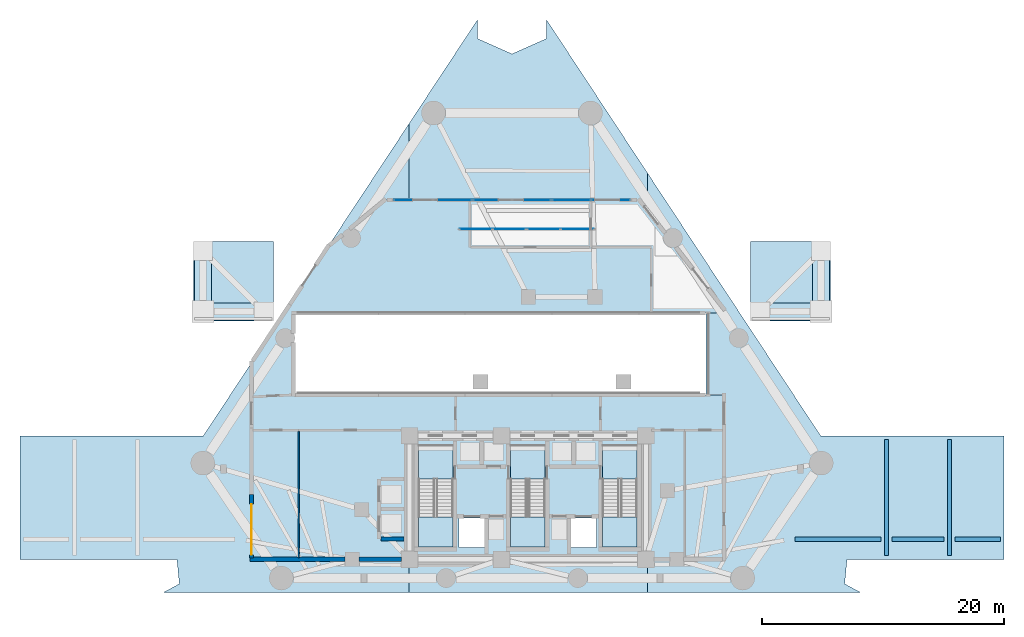
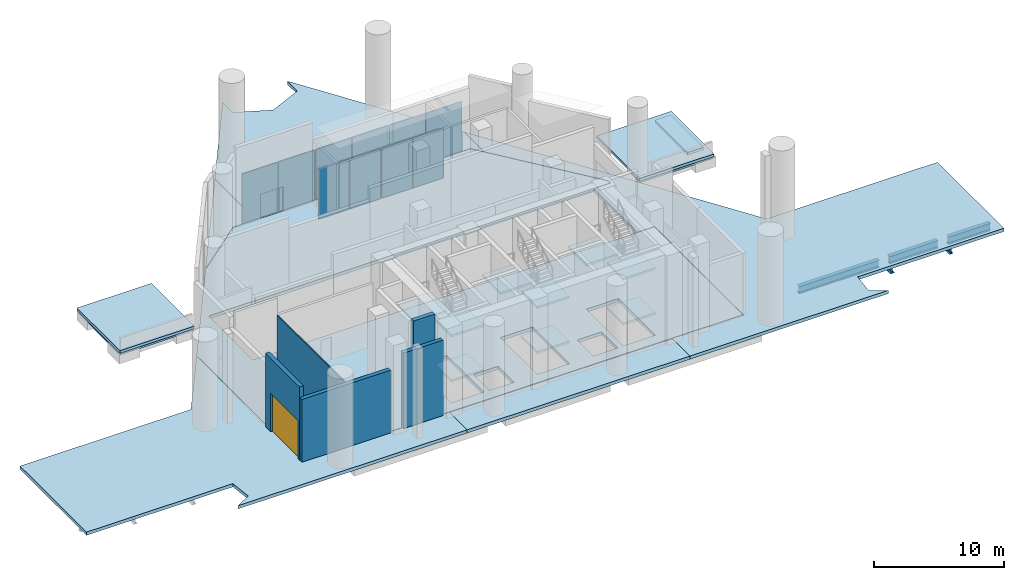
# One storey, part 5 of 12: 21 slabs, 10 plates, 5 beams, 5 walls, 1 door, 1 opening, 8 elements without a shape of their own.
"""IFC4 building model written with IfcOpenShell, lengths in metres."""

from ifc_helpers import new_model, si_unit, direction, frame, frame_2d, origin, origin_2d, place, context, subcontext, project, spatial, polyline, rectangle, i_section, outline, extrude, material, layer, layer_set, material_profile, profile_set, type_object, element, fill, aggregate, save


model = new_model("IFC4")

# Units and contexts
model_context = context("Model", 3, precision=1e-05, world=origin(), true_north=direction((0.0, 1.0)))
body_context = subcontext(model_context, "Body", "Model", "MODEL_VIEW")
ifc_project = project(units=[si_unit("LENGTHUNIT", "METRE"), si_unit("AREAUNIT", "SQUARE_METRE"), si_unit("VOLUMEUNIT", "CUBIC_METRE"), si_unit("PLANEANGLEUNIT", "RADIAN"), si_unit("MASSUNIT", "GRAM", prefix="KILO")], contexts=[model_context])

# Site, building, storey
site_placement = place(None, origin())
site = spatial("IfcSite", under=ifc_project, at=site_placement, CompositionType="ELEMENT")
building_placement = place(site_placement, origin())
building = spatial("IfcBuilding", under=site, at=building_placement, Name="Almagre Mirador Tower", CompositionType="ELEMENT")
storey_placement = place(building_placement, origin())
storey = spatial("IfcBuildingStorey", under=building, at=storey_placement, Name="L00", CompositionType="ELEMENT", Elevation=0.0)

# Beams
ifc_material_1 = material(Name="Steel ASTM A992 Grade 50", Category="steel")
ifc_material_profile = material_profile(ifc_material_1, i_section(OverallWidth=0.35791015625, OverallDepth=0.7060546875, WebThickness=0.018310546875, FlangeThickness=0.0302734375, FilletRadius=0.02197265625, at=origin_2d()), Name="W27X178")
ifc_profile_set = profile_set([ifc_material_profile], Name="Steel ASTM A992 Grade 50")
beam_type = type_object("IfcBeamType", Name="BM-STL-W27X178", PredefinedType="BEAM", material=ifc_profile_set)
beam_1_placement = place(storey_placement, frame((76.300048828125, 6.199951171875, -0.653076171875), z_axis=(-1.0, 0.0, 0.0), x_axis=(0.0, -1.0, 0.0)))
element("IfcBeam", 1, at=beam_1_placement, inside=storey, type_object=beam_type, Name="L00 substructure wing girder BW-E1", PredefinedType="BEAM", context=body_context, shape_type="SweptSolid", body=[
    extrude(i_section(OverallWidth=0.35791015625, OverallDepth=0.7060546875, WebThickness=0.018310546875, FlangeThickness=0.0302734375, FilletRadius=0.02197265625, at=origin_2d()), origin(), (0.0, 0.0, 1.0), 3.75),
])
beam_2_placement = place(storey_placement, frame((71.64990234375, 6.199951171875, -0.653076171875), z_axis=(-1.0, 0.0, 0.0), x_axis=(0.0, -1.0, 0.0)))
element("IfcBeam", 2, at=beam_2_placement, inside=storey, type_object=beam_type, Name="L00 substructure wing girder BW-E2", PredefinedType="BEAM", context=body_context, shape_type="SweptSolid", body=[
    extrude(i_section(OverallWidth=0.35791015625, OverallDepth=0.7060546875, WebThickness=0.018310546875, FlangeThickness=0.0302734375, FilletRadius=0.02197265625, at=origin_2d()), origin(), (0.0, 0.0, 1.0), 4.2998046875),
])
beam_3_placement = place(storey_placement, frame((66.449951171875, 6.199951171875, -0.653076171875), z_axis=(-1.0, 0.0, 0.0), x_axis=(0.0, -1.0, 0.0)))
element("IfcBeam", 3, at=beam_3_placement, inside=storey, type_object=beam_type, Name="L00 substructure wing girder BW-E3", PredefinedType="BEAM", context=body_context, shape_type="SweptSolid", body=[
    extrude(i_section(OverallWidth=0.35791015625, OverallDepth=0.7060546875, WebThickness=0.018310546875, FlangeThickness=0.0302734375, FilletRadius=0.02197265625, at=origin_2d()), origin(), (0.0, 0.0, 1.0), 7.099853515625),
])
for number, where, z_axis, x_axis, name in (
    (4, (72.10009765625, 4.85009765625, -0.653076171875), (0.0, 1.0, 0.0), (-1.0, 0.0, 0.0), "L00 substructure wing girder BW-EN1"),
    (5, (66.89990234375, 4.85009765625, -0.653076171875), (0.0, 1.0, 0.0), (-1.0, 0.0, 0.0), "L00 substructure wing girder BW-EN2"),
):
    element("IfcBeam", number, at=place(storey_placement, frame(where, z_axis=z_axis, x_axis=x_axis)), inside=storey, type_object=beam_type, Name=name, PredefinedType="BEAM", context=body_context, shape_type="SweptSolid", body=[
        extrude(i_section(OverallWidth=0.35791015625, OverallDepth=0.7060546875, WebThickness=0.018310546875, FlangeThickness=0.0302734375, FilletRadius=0.02197265625, at=origin_2d()), origin(), (0.0, 0.0, 1.0), 9.599853515625),
    ])

# Curtain wall, plates
ifc_material_2 = material(Name="Black anodized aluminium", Category="aluminium")
ifc_layer_1 = layer(ifc_material_2, 0.219970703125)
ifc_layer_set_1 = layer_set([ifc_layer_1], Name="Black anodized aluminium")
curtain_wall_type = type_object("IfcCurtainWallType", Name="CW-POD-SYS", PredefinedType="NOTDEFINED", material=ifc_layer_set_1)
curtain_wall_1_placement = place(storey_placement, origin())
curtain_wall_1 = element("IfcCurtainWall", 6, at=curtain_wall_1_placement, inside=storey, type_object=curtain_wall_type, Name="L00 lobby curtain wall 1.1", PredefinedType="NOTDEFINED")
ifc_material_3 = material(Name="Dark solar-control laminated hurricane glass", Category="glass")
ifc_layer_2 = layer(ifc_material_3, 0.035888671875)
ifc_layer_set_2 = layer_set([ifc_layer_2], Name="Dark solar-control laminated hurricane glass")
plate_type = type_object("IfcPlateType", Name="PLT-GLZ-36", PredefinedType="CURTAIN_PANEL", material=ifc_layer_set_2)
plate_1_placement = place(storey_placement, frame((33.017578125, 31.800048828125, 0.06494140625), z_axis=(0.0, 0.0, 1.0), x_axis=(1.0, 0.0, 0.0)))
plate_1 = element("IfcPlate", 7, at=plate_1_placement, type_object=plate_type, Name="CW-1 panel 1.1", PredefinedType="CURTAIN_PANEL", context=body_context, shape_type="SweptSolid", body=[
    extrude(rectangle(XDim=2.695068359375, YDim=0.035888671875, at=origin_2d()), origin(), (0.0, 0.0, 1.0), 4.669921875),
])
plate_2_placement = place(storey_placement, frame((35.782470703125, 31.800048828125, 0.06494140625), z_axis=(0.0, 0.0, 1.0), x_axis=(1.0, 0.0, 0.0)))
plate_2 = element("IfcPlate", 8, at=plate_2_placement, type_object=plate_type, Name="CW-1 panel 2.1", PredefinedType="CURTAIN_PANEL", context=body_context, shape_type="SweptSolid", body=[
    extrude(rectangle(XDim=2.695068359375, YDim=0.035888671875, at=origin_2d()), origin(), (0.0, 0.0, 1.0), 4.669921875),
])
aggregate(curtain_wall_1, [plate_1, plate_2])

curtain_wall_2_placement = place(storey_placement, origin())
curtain_wall_2 = element("IfcCurtainWall", 9, at=curtain_wall_2_placement, inside=storey, type_object=curtain_wall_type, Name="L00 lobby curtain wall 1.2", PredefinedType="NOTDEFINED")
plate_3_placement = place(storey_placement, frame((38.617431640625, 31.800048828125, 0.06494140625), z_axis=(0.0, 0.0, 1.0), x_axis=(1.0, 0.0, 0.0)))
plate_3 = element("IfcPlate", 10, at=plate_3_placement, type_object=plate_type, Name="CW-1 panel 1.1", PredefinedType="CURTAIN_PANEL", context=body_context, shape_type="SweptSolid", body=[
    extrude(rectangle(XDim=2.695068359375, YDim=0.035888671875, at=origin_2d()), origin(), (0.0, 0.0, 1.0), 4.669921875),
])
plate_4_placement = place(storey_placement, frame((41.382568359375, 31.800048828125, 0.06494140625), z_axis=(0.0, 0.0, 1.0), x_axis=(1.0, 0.0, 0.0)))
plate_4 = element("IfcPlate", 11, at=plate_4_placement, type_object=plate_type, Name="CW-1 panel 2.1", PredefinedType="CURTAIN_PANEL", context=body_context, shape_type="SweptSolid", body=[
    extrude(rectangle(XDim=2.695068359375, YDim=0.035888671875, at=origin_2d()), origin(), (0.0, 0.0, 1.0), 4.669921875),
])
aggregate(curtain_wall_2, [plate_3, plate_4])

curtain_wall_3_placement = place(storey_placement, origin())
curtain_wall_3 = element("IfcCurtainWall", 12, at=curtain_wall_3_placement, inside=storey, type_object=curtain_wall_type, Name="L00 lobby curtain wall 2.1", PredefinedType="NOTDEFINED")
plate_5_placement = place(storey_placement, frame((27.850830078125, 34.199951171875, 0.06494140625), z_axis=(0.0, 0.0, 1.0), x_axis=(1.0, 0.0, 0.0)))
plate_5 = element("IfcPlate", 13, at=plate_5_placement, type_object=plate_type, Name="CW-1 panel 1.1", PredefinedType="CURTAIN_PANEL", context=body_context, shape_type="SweptSolid", body=[
    extrude(rectangle(XDim=3.16162109375, YDim=0.035888671875, at=origin_2d()), origin(), (0.0, 0.0, 1.0), 4.669921875),
])
plate_6_placement = place(storey_placement, frame((31.08251953125, 34.199951171875, 0.06494140625), z_axis=(0.0, 0.0, 1.0), x_axis=(1.0, 0.0, 0.0)))
plate_6 = element("IfcPlate", 14, at=plate_6_placement, type_object=plate_type, Name="CW-1 panel 2.1", PredefinedType="CURTAIN_PANEL", context=body_context, shape_type="SweptSolid", body=[
    extrude(rectangle(XDim=3.16162109375, YDim=0.035888671875, at=origin_2d()), origin(), (0.0, 0.0, 1.0), 4.669921875),
])
aggregate(curtain_wall_3, [plate_5, plate_6])

curtain_wall_4_placement = place(storey_placement, origin())
curtain_wall_4 = element("IfcCurtainWall", 15, at=curtain_wall_4_placement, inside=storey, type_object=curtain_wall_type, Name="L00 lobby curtain wall 2.2", PredefinedType="NOTDEFINED")
plate_7_placement = place(storey_placement, frame((34.384033203125, 34.199951171875, 0.06494140625), z_axis=(0.0, 0.0, 1.0), x_axis=(1.0, 0.0, 0.0)))
plate_7 = element("IfcPlate", 16, at=plate_7_placement, type_object=plate_type, Name="CW-1 panel 1.1", PredefinedType="CURTAIN_PANEL", context=body_context, shape_type="SweptSolid", body=[
    extrude(rectangle(XDim=3.16162109375, YDim=0.035888671875, at=origin_2d()), origin(), (0.0, 0.0, 1.0), 4.669921875),
])
plate_8_placement = place(storey_placement, frame((37.615966796875, 34.199951171875, 0.06494140625), z_axis=(0.0, 0.0, 1.0), x_axis=(1.0, 0.0, 0.0)))
plate_8 = element("IfcPlate", 17, at=plate_8_placement, type_object=plate_type, Name="CW-1 panel 2.1", PredefinedType="CURTAIN_PANEL", context=body_context, shape_type="SweptSolid", body=[
    extrude(rectangle(XDim=3.16162109375, YDim=0.035888671875, at=origin_2d()), origin(), (0.0, 0.0, 1.0), 4.669921875),
])
aggregate(curtain_wall_4, [plate_7, plate_8])

curtain_wall_5_placement = place(storey_placement, origin())
curtain_wall_5 = element("IfcCurtainWall", 18, at=curtain_wall_5_placement, inside=storey, type_object=curtain_wall_type, Name="L00 lobby curtain wall 2.3", PredefinedType="NOTDEFINED")
plate_9_placement = place(storey_placement, frame((40.91748046875, 34.199951171875, 0.06494140625), z_axis=(0.0, 0.0, 1.0), x_axis=(1.0, 0.0, 0.0)))
plate_9 = element("IfcPlate", 19, at=plate_9_placement, type_object=plate_type, Name="CW-1 panel 1.1", PredefinedType="CURTAIN_PANEL", context=body_context, shape_type="SweptSolid", body=[
    extrude(rectangle(XDim=3.16162109375, YDim=0.035888671875, at=origin_2d()), origin(), (0.0, 0.0, 1.0), 4.669921875),
])
plate_10_placement = place(storey_placement, frame((44.149169921875, 34.199951171875, 0.06494140625), z_axis=(0.0, 0.0, 1.0), x_axis=(1.0, 0.0, 0.0)))
plate_10 = element("IfcPlate", 20, at=plate_10_placement, type_object=plate_type, Name="CW-1 panel 2.1", PredefinedType="CURTAIN_PANEL", context=body_context, shape_type="SweptSolid", body=[
    extrude(rectangle(XDim=3.16162109375, YDim=0.035888671875, at=origin_2d()), origin(), (0.0, 0.0, 1.0), 4.669921875),
])
aggregate(curtain_wall_5, [plate_9, plate_10])

# Slabs
ifc_material_4 = material(Name="Concrete C45/55", Category="concrete")
ifc_layer_3 = layer(ifc_material_4, 0.25)
ifc_layer_set_3 = layer_set([ifc_layer_3], Name="Concrete C45/55")
slab_type_1 = type_object("IfcSlabType", Name="SLB-BASE-250", PredefinedType="BASESLAB", material=ifc_layer_set_3)
slab_1_placement = place(storey_placement, frame((0.0, 0.0, -0.199951171875)))
element("IfcSlab", 21, at=slab_1_placement, inside=storey, type_object=slab_type_1, Name="Plaza reflecting basin slab NW", PredefinedType="BASESLAB", context=body_context, shape_type="SweptSolid", body=[
    extrude(outline(polyline([(9.699951171875, 24.199951171875), (16.300048828125, 24.199951171875), (16.300048828125, 30.800048828125), (9.699951171875, 30.800048828125), (9.699951171875, 24.199951171875)])), origin(), (0.0, 0.0, 1.0), 0.25),
])
slab_2_placement = place(storey_placement, frame((0.0, 0.0, -0.449951171875)))
element("IfcSlab", 22, at=slab_2_placement, inside=storey, type_object=slab_type_1, Name="Plaza basin sub-base NW-A", PredefinedType="BASESLAB", context=body_context, shape_type="SweptSolid", body=[
    extrude(outline(polyline([(9.800048828125, 24.300048828125), (16.199951171875, 24.300048828125), (16.199951171875, 25.699951171875), (9.800048828125, 25.699951171875), (9.800048828125, 24.300048828125)])), origin(), (0.0, 0.0, 1.0), 0.25),
])
slab_3_placement = place(storey_placement, frame((0.0, 0.0, -0.449951171875)))
element("IfcSlab", 23, at=slab_3_placement, inside=storey, type_object=slab_type_1, Name="Plaza basin sub-base NW-B", PredefinedType="BASESLAB", context=body_context, shape_type="SweptSolid", body=[
    extrude(outline(polyline([(9.800048828125, 30.699951171875), (11.199951171875, 30.699951171875), (11.199951171875, 25.699951171875), (9.800048828125, 25.699951171875), (9.800048828125, 30.699951171875)])), origin(), (0.0, 0.0, 1.0), 0.25),
])
slab_4_placement = place(storey_placement, frame((0.0, 0.0, -0.199951171875)))
element("IfcSlab", 24, at=slab_4_placement, inside=storey, type_object=slab_type_1, Name="Plaza reflecting basin slab NE", PredefinedType="BASESLAB", context=body_context, shape_type="SweptSolid", body=[
    extrude(outline(polyline([(55.699951171875, 24.199951171875), (62.300048828125, 24.199951171875), (62.300048828125, 30.800048828125), (55.699951171875, 30.800048828125), (55.699951171875, 24.199951171875)])), origin(), (0.0, 0.0, 1.0), 0.25),
])
slab_5_placement = place(storey_placement, frame((0.0, 0.0, -0.449951171875)))
element("IfcSlab", 25, at=slab_5_placement, inside=storey, type_object=slab_type_1, Name="Plaza basin sub-base NE-A", PredefinedType="BASESLAB", context=body_context, shape_type="SweptSolid", body=[
    extrude(outline(polyline([(55.800048828125, 24.300048828125), (62.199951171875, 24.300048828125), (62.199951171875, 25.699951171875), (55.800048828125, 25.699951171875), (55.800048828125, 24.300048828125)])), origin(), (0.0, 0.0, 1.0), 0.25),
])
slab_6_placement = place(storey_placement, frame((0.0, 0.0, -0.449951171875)))
element("IfcSlab", 26, at=slab_6_placement, inside=storey, type_object=slab_type_1, Name="Plaza basin sub-base NE-B", PredefinedType="BASESLAB", context=body_context, shape_type="SweptSolid", body=[
    extrude(outline(polyline([(60.800048828125, 30.699951171875), (62.199951171875, 30.699951171875), (62.199951171875, 25.699951171875), (60.800048828125, 25.699951171875), (60.800048828125, 30.699951171875)])), origin(), (0.0, 0.0, 1.0), 0.25),
])
ifc_material_5 = material(Name="Concrete C45/55", Category="concrete")
ifc_layer_4 = layer(ifc_material_5, 0.300048828125)
ifc_layer_set_4 = layer_set([ifc_layer_4], Name="Concrete C45/55")
slab_type_2 = type_object("IfcSlabType", Name="SLB-FLR-300", PredefinedType="FLOOR", material=ifc_layer_set_4)
slab_7_placement = place(storey_placement, frame((0.0, 0.0, -0.300048828125)))
element("IfcSlab", 27, at=slab_7_placement, inside=storey, type_object=slab_type_2, Name="L00 indoor lobby and core floor slab", PredefinedType="FLOOR", context=body_context, shape_type="SweptSolid", body=[
    extrude(outline(polyline([(25.5, 34.199951171875), (20.83251953125, 30.381103515625), (14.5, 20.7705078125), (14.5, 4.550048828125), (53.5, 4.550048828125), (53.5, 18.1201171875), (17.949951171875, 18.1201171875), (17.949951171875, 24.8798828125), (53.5, 24.8798828125), (53.5, 25.199951171875), (46.5, 34.199951171875), (25.5, 34.199951171875)]), holes=[polyline([(43.47509765625, 5.550048828125), (43.47509765625, 11.196044921875), (46.324951171875, 11.196044921875), (46.324951171875, 5.550048828125), (43.47509765625, 5.550048828125)]), polyline([(42.97998046875, 5.52001953125), (40.820068359375, 5.52001953125), (40.820068359375, 7.97998046875), (42.97998046875, 7.97998046875), (42.97998046875, 5.52001953125)]), polyline([(38.72509765625, 5.550048828125), (35.875, 5.550048828125), (35.875, 11.196044921875), (38.72509765625, 11.196044921875), (38.72509765625, 5.550048828125)]), polyline([(33.780029296875, 7.97998046875), (33.780029296875, 5.52001953125), (31.6201171875, 5.52001953125), (31.6201171875, 7.97998046875), (33.780029296875, 7.97998046875)]), polyline([(28.27490234375, 5.550048828125), (28.27490234375, 11.196044921875), (31.125, 11.196044921875), (31.125, 5.550048828125), (28.27490234375, 5.550048828125)])]), origin(), (0.0, 0.0, 1.0), 0.300048828125),
])

# Stair, slabs
ifc_material_6 = material(Name="Concrete C45/55", Category="concrete")
stair_type = type_object("IfcStairType", Name="STR-DL-8400", PredefinedType="HALF_TURN_STAIR", material=ifc_material_6)
stair_1_placement = place(storey_placement, origin())
stair_1 = element("IfcStair", 28, at=stair_1_placement, inside=storey, type_object=stair_type, Name="L00 Protected exit stair ST-1", PredefinedType="HALF_TURN_STAIR")
ifc_material_7 = material(Name="Concrete C45/55", Category="concrete")
ifc_layer_5 = layer(ifc_material_7, 0.199951171875)
ifc_layer_set_5 = layer_set([ifc_layer_5], Name="Concrete C45/55")
slab_type_3 = type_object("IfcSlabType", Name="SLB-LND-200", PredefinedType="LANDING", material=ifc_layer_set_5)
slab_8_placement = place(storey_placement, frame((0.0, 0.0, 1.89990234375)))
slab_8 = element("IfcSlab", 29, at=slab_8_placement, type_object=slab_type_3, Name="ST-1 landing 1", PredefinedType="LANDING", context=body_context, shape_type="SweptSolid", body=[
    extrude(outline(polyline([(28.27490234375, 8.06494140625), (28.27490234375, 5.550048828125), (31.125, 5.550048828125), (31.125, 8.06494140625), (28.27490234375, 8.06494140625)])), origin(), (0.0, 0.0, 1.0), 0.2001953125),
])
slab_9_placement = place(storey_placement, frame((0.0, 0.0, 4.0)))
slab_9 = element("IfcSlab", 30, at=slab_9_placement, type_object=slab_type_3, Name="ST-1 landing 2", PredefinedType="LANDING", context=body_context, shape_type="SweptSolid", body=[
    extrude(outline(polyline([(28.27490234375, 14.0), (28.27490234375, 11.199951171875), (31.125, 11.199951171875), (31.125, 14.0), (28.27490234375, 14.0)])), origin(), (0.0, 0.0, 1.0), 0.199951171875),
])
slab_10_placement = place(storey_placement, frame((0.0, 0.0, 6.10009765625)))
slab_10 = element("IfcSlab", 31, at=slab_10_placement, type_object=slab_type_3, Name="ST-1 landing 3", PredefinedType="LANDING", context=body_context, shape_type="SweptSolid", body=[
    extrude(outline(polyline([(28.27490234375, 8.06494140625), (28.27490234375, 5.550048828125), (31.125, 5.550048828125), (31.125, 8.06494140625), (28.27490234375, 8.06494140625)])), origin(), (0.0, 0.0, 1.0), 0.199951171875),
])
aggregate(stair_1, [slab_8, slab_9, slab_10])

stair_2_placement = place(storey_placement, origin())
stair_2 = element("IfcStair", 32, at=stair_2_placement, inside=storey, type_object=stair_type, Name="L00 Protected exit stair ST-2", PredefinedType="HALF_TURN_STAIR")
slab_11_placement = place(storey_placement, frame((0.0, 0.0, 1.89990234375)))
slab_11 = element("IfcSlab", 33, at=slab_11_placement, type_object=slab_type_3, Name="ST-2 landing 1", PredefinedType="LANDING", context=body_context, shape_type="SweptSolid", body=[
    extrude(outline(polyline([(35.875, 8.06494140625), (35.875, 5.550048828125), (38.72509765625, 5.550048828125), (38.72509765625, 8.06494140625), (35.875, 8.06494140625)])), origin(), (0.0, 0.0, 1.0), 0.2001953125),
])
slab_12_placement = place(storey_placement, frame((0.0, 0.0, 4.0)))
slab_12 = element("IfcSlab", 34, at=slab_12_placement, type_object=slab_type_3, Name="ST-2 landing 2", PredefinedType="LANDING", context=body_context, shape_type="SweptSolid", body=[
    extrude(outline(polyline([(35.875, 14.0), (35.875, 11.199951171875), (38.72509765625, 11.199951171875), (38.72509765625, 14.0), (35.875, 14.0)])), origin(), (0.0, 0.0, 1.0), 0.199951171875),
])
slab_13_placement = place(storey_placement, frame((0.0, 0.0, 6.10009765625)))
slab_13 = element("IfcSlab", 35, at=slab_13_placement, type_object=slab_type_3, Name="ST-2 landing 3", PredefinedType="LANDING", context=body_context, shape_type="SweptSolid", body=[
    extrude(outline(polyline([(35.875, 8.06494140625), (35.875, 5.550048828125), (38.72509765625, 5.550048828125), (38.72509765625, 8.06494140625), (35.875, 8.06494140625)])), origin(), (0.0, 0.0, 1.0), 0.199951171875),
])
aggregate(stair_2, [slab_11, slab_12, slab_13])

stair_3_placement = place(storey_placement, origin())
stair_3 = element("IfcStair", 36, at=stair_3_placement, inside=storey, type_object=stair_type, Name="L00 Protected exit stair ST-3", PredefinedType="HALF_TURN_STAIR")
slab_14_placement = place(storey_placement, frame((0.0, 0.0, 1.89990234375)))
slab_14 = element("IfcSlab", 37, at=slab_14_placement, type_object=slab_type_3, Name="ST-3 landing 1", PredefinedType="LANDING", context=body_context, shape_type="SweptSolid", body=[
    extrude(outline(polyline([(43.47509765625, 8.06494140625), (43.47509765625, 5.550048828125), (46.324951171875, 5.550048828125), (46.324951171875, 8.06494140625), (43.47509765625, 8.06494140625)])), origin(), (0.0, 0.0, 1.0), 0.2001953125),
])
slab_15_placement = place(storey_placement, frame((0.0, 0.0, 4.0)))
slab_15 = element("IfcSlab", 38, at=slab_15_placement, type_object=slab_type_3, Name="ST-3 landing 2", PredefinedType="LANDING", context=body_context, shape_type="SweptSolid", body=[
    extrude(outline(polyline([(43.47509765625, 14.0), (43.47509765625, 11.199951171875), (46.324951171875, 11.199951171875), (46.324951171875, 14.0), (43.47509765625, 14.0)])), origin(), (0.0, 0.0, 1.0), 0.199951171875),
])
slab_16_placement = place(storey_placement, frame((0.0, 0.0, 6.10009765625)))
slab_16 = element("IfcSlab", 39, at=slab_16_placement, type_object=slab_type_3, Name="ST-3 landing 3", PredefinedType="LANDING", context=body_context, shape_type="SweptSolid", body=[
    extrude(outline(polyline([(43.47509765625, 8.06494140625), (43.47509765625, 5.550048828125), (46.324951171875, 5.550048828125), (46.324951171875, 8.06494140625), (43.47509765625, 8.06494140625)])), origin(), (0.0, 0.0, 1.0), 0.199951171875),
])
aggregate(stair_3, [slab_14, slab_15, slab_16])

# Slabs
ifc_material_8 = material(Name="Concrete C45/55", Category="concrete")
ifc_layer_6 = layer(ifc_material_8, 0.300048828125)
ifc_layer_set_6 = layer_set([ifc_layer_6], Name="Concrete C45/55")
slab_type_4 = type_object("IfcSlabType", Name="SLB-PAV-300", PredefinedType="USERDEFINED", material=ifc_layer_set_6)
slab_17_placement = place(storey_placement, frame((0.0, 0.0, -0.300048828125)))
element("IfcSlab", 40, at=slab_17_placement, inside=storey, type_object=slab_type_4, Name="L00 open-stilts basalt plaza deck 01", ObjectType="PAVING", PredefinedType="USERDEFINED", context=body_context, shape_type="SweptSolid", body=[
    extrude(outline(polyline([(27.5, 1.800048828125), (27.5, 4.530029296875), (14.5, 4.530029296875), (14.498046875, 4.530029296875), (14.49609375, 4.530517578125), (14.494140625, 4.531005859375), (14.4921875, 4.531494140625), (14.490478515625, 4.532470703125), (14.489013671875, 4.533447265625), (14.4873046875, 4.534423828125), (14.48583984375, 4.535888671875), (14.484619140625, 4.537353515625), (14.4833984375, 4.538818359375), (14.482421875, 4.54052734375), (14.4814453125, 4.542236328125), (14.48095703125, 4.544189453125), (14.48046875, 4.546142578125), (14.47998046875, 4.548095703125), (14.47998046875, 4.550048828125), (14.47998046875, 20.740234375), (10.532958984375, 14.75), (-4.60009765625, 14.75), (-4.60009765625, 4.550048828125), (8.35205078125, 4.550048828125), (8.547119140625, 2.52587890625), (7.199951171875, 1.800048828125), (27.5, 1.800048828125)])), origin(), (0.0, 0.0, 1.0), 0.300048828125),
])
slab_18_placement = place(storey_placement, frame((0.0, 0.0, -0.300048828125)))
element("IfcSlab", 41, at=slab_18_placement, inside=storey, type_object=slab_type_4, Name="L00 open-stilts basalt plaza deck 02", ObjectType="PAVING", PredefinedType="USERDEFINED", context=body_context, shape_type="SweptSolid", body=[
    extrude(outline(polyline([(27.5, 34.219970703125), (27.5, 40.5), (20.86962890625, 30.437255859375), (25.4873046875, 34.215576171875), (25.489013671875, 34.216552734375), (25.490478515625, 34.217529296875), (25.492431640625, 34.218505859375), (25.494140625, 34.218994140625), (25.49609375, 34.219482421875), (25.498046875, 34.219970703125), (25.5, 34.219970703125), (27.5, 34.219970703125)])), origin(), (0.0, 0.0, 1.0), 0.300048828125),
])
slab_19_placement = place(storey_placement, frame((0.0, 0.0, -0.300048828125)))
element("IfcSlab", 42, at=slab_19_placement, inside=storey, type_object=slab_type_4, Name="L00 open-stilts basalt plaza deck 03", ObjectType="PAVING", PredefinedType="USERDEFINED", context=body_context, shape_type="SweptSolid", body=[
    extrude(outline(polyline([(33.138916015625, 47.528076171875), (33.138916015625, 49.05810546875), (27.5, 40.5), (27.5, 34.219970703125), (46.5, 34.219970703125), (46.501953125, 34.219970703125), (46.50390625, 34.219482421875), (46.506103515625, 34.218994140625), (46.5078125, 34.218505859375), (46.509765625, 34.217529296875), (46.511474609375, 34.21630859375), (46.512939453125, 34.215087890625), (46.514404296875, 34.2138671875), (46.515869140625, 34.21240234375), (47.199951171875, 33.33251953125), (47.199951171875, 36.40234375), (38.861083984375, 49.05810546875), (38.861083984375, 47.528076171875), (36.0, 46.256103515625), (33.138916015625, 47.528076171875)])), origin(), (0.0, 0.0, 1.0), 0.300048828125),
])
slab_20_placement = place(storey_placement, frame((0.0, 0.0, -0.300048828125)))
element("IfcSlab", 43, at=slab_20_placement, inside=storey, type_object=slab_type_4, Name="L00 open-stilts basalt plaza deck 04", ObjectType="PAVING", PredefinedType="USERDEFINED", context=body_context, shape_type="SweptSolid", body=[
    extrude(outline(polyline([(47.199951171875, 1.800048828125), (47.199951171875, 4.5), (27.5, 4.5), (27.5, 1.800048828125), (47.199951171875, 1.800048828125)])), origin(), (0.0, 0.0, 1.0), 0.300048828125),
])
slab_21_placement = place(storey_placement, frame((0.0, 0.0, -0.300048828125)))
element("IfcSlab", 44, at=slab_21_placement, inside=storey, type_object=slab_type_4, Name="L00 open-stilts basalt plaza deck 05", ObjectType="PAVING", PredefinedType="USERDEFINED", context=body_context, shape_type="SweptSolid", body=[
    extrude(outline(polyline([(47.199951171875, 36.40234375), (47.199951171875, 33.33251953125), (53.515869140625, 25.21240234375), (53.516845703125, 25.210693359375), (53.517822265625, 25.208984375), (53.5185546875, 25.20751953125), (53.519287109375, 25.20556640625), (53.51953125, 25.203857421875), (53.52001953125, 25.201904296875), (53.52001953125, 25.199951171875), (53.52001953125, 24.8798828125), (53.52001953125, 24.8779296875), (53.51953125, 24.876220703125), (53.51904296875, 24.874267578125), (53.5185546875, 24.872314453125), (53.517578125, 24.87060546875), (53.5166015625, 24.868896484375), (53.515380859375, 24.8671875), (53.51416015625, 24.865966796875), (53.5126953125, 24.864501953125), (53.510986328125, 24.86328125), (53.509521484375, 24.8623046875), (53.5078125, 24.861572265625), (53.505859375, 24.86083984375), (53.50390625, 24.8603515625), (53.501953125, 24.860107421875), (53.5, 24.860107421875), (52.02001953125, 24.860107421875), (52.02001953125, 18.139892578125), (53.5, 18.139892578125), (53.501953125, 18.139892578125), (53.50390625, 18.1396484375), (53.505859375, 18.13916015625), (53.5078125, 18.138427734375), (53.509521484375, 18.1376953125), (53.510986328125, 18.13671875), (53.5126953125, 18.135498046875), (53.51416015625, 18.134033203125), (53.515380859375, 18.1328125), (53.5166015625, 18.131103515625), (53.517578125, 18.12939453125), (53.5185546875, 18.127685546875), (53.51904296875, 18.125732421875), (53.51953125, 18.123779296875), (53.52001953125, 18.1220703125), (53.52001953125, 18.1201171875), (53.52001953125, 4.550048828125), (53.52001953125, 4.548095703125), (53.51953125, 4.546142578125), (53.51904296875, 4.544189453125), (53.5185546875, 4.542236328125), (53.517578125, 4.54052734375), (53.5166015625, 4.538818359375), (53.515380859375, 4.537353515625), (53.51416015625, 4.535888671875), (53.5126953125, 4.534423828125), (53.510986328125, 4.533447265625), (53.509521484375, 4.532470703125), (53.5078125, 4.531494140625), (53.505859375, 4.531005859375), (53.50390625, 4.530517578125), (53.501953125, 4.530029296875), (53.5, 4.530029296875), (47.199951171875, 4.530029296875), (47.199951171875, 1.800048828125), (64.800048828125, 1.800048828125), (63.452880859375, 2.52587890625), (63.64794921875, 4.550048828125), (76.60009765625, 4.550048828125), (76.60009765625, 14.75), (61.467041015625, 14.75), (47.199951171875, 36.40234375)])), origin(), (0.0, 0.0, 1.0), 0.300048828125),
])

# Walls
ifc_material_9 = material(Name="Precast concrete C50/60", Category="concrete")
ifc_layer_7 = layer(ifc_material_9, 0.35009765625)
ifc_layer_set_7 = layer_set([ifc_layer_7], Name="Precast concrete C50/60")
wall_type_1 = type_object("IfcWallType", Name="WAL-EXT-350", PredefinedType="SOLIDWALL", material=ifc_layer_set_7)
wall_1_placement = place(storey_placement, frame((26.887939453125, 4.550048828125, 0.0), z_axis=(0.0, 0.0, 1.0), x_axis=(-1.0, 0.0, 0.0)))
element("IfcWall", 45, at=wall_1_placement, inside=storey, type_object=wall_type_1, Name="L00 ground enclosure wall 7.6", PredefinedType="SOLIDWALL", context=body_context, shape_type="SweptSolid", body=[
    extrude(rectangle(XDim=3.52587890625, YDim=0.35009765625, at=frame_2d((1.762939453125, 0.0))), origin(), (0.0, 0.0, 1.0), 7.06396484375),
])
wall_2_placement = place(storey_placement, frame((22.238037109375, 4.550048828125, 0.0), z_axis=(0.0, 0.0, 1.0), x_axis=(-1.0, 0.0, 0.0)))
element("IfcWall", 46, at=wall_2_placement, inside=storey, type_object=wall_type_1, Name="L00 ground enclosure wall 7.7", PredefinedType="SOLIDWALL", context=body_context, shape_type="SweptSolid", body=[
    extrude(rectangle(XDim=7.8779296875, YDim=0.35009765625, at=frame_2d((3.93896484375, 0.0))), origin(), (0.0, 0.0, 1.0), 5.875),
])

# Wall, opening, door
wall_3_placement = place(storey_placement, frame((14.5, 4.669921875, 0.0), z_axis=(0.0, 0.0, 1.0), x_axis=(0.0, 1.0, 0.0)))
wall_3 = element("IfcWall", 47, at=wall_3_placement, inside=storey, type_object=wall_type_1, Name="L00 ground enclosure wall 8.1", PredefinedType="SOLIDWALL", context=body_context, shape_type="SweptSolid", body=[
    extrude(rectangle(XDim=5.240234375, YDim=0.35009765625, at=frame_2d((2.6201171875, 0.0))), origin(), (0.0, 0.0, 1.0), 6.875),
])
opening_placement = place(wall_3_placement, frame((0.239990234375, 0.0, 0.0)))
opening = element("IfcOpeningElement", 48, at=opening_placement, cuts=wall_3, Name="Opening VG-02", PredefinedType="OPENING", context=body_context, shape_type="SweptSolid", body=[
    extrude(rectangle(XDim=4.199951171875, YDim=3.60009765625, at=frame_2d((2.10009765625, 1.800048828125))), frame((0.0, 0.185049, 0.0), z_axis=(0.0, -1.0, 0.0), x_axis=(1.0, 0.0, 0.0)), (0.0, 0.0, 1.0), 0.370098),
])
ifc_material_10 = material(Name="Galvanized steel roller shutter", Category="steel")
door_type = type_object("IfcDoorType", Name="GAT-LOD-4200X3600", OperationType="ROLLINGUP", PredefinedType="GATE", material=ifc_material_10)
door_placement = place(opening_placement, origin())
door = element("IfcDoor", 49, at=door_placement, inside=storey, type_object=door_type, Name="DR-0071 L00 truck loading bay exterior shutter gate VG-02", OperationType="ROLLINGUP", OverallHeight=3.60009765625, OverallWidth=4.199951171875, PredefinedType="GATE", context=body_context, shape_type="SweptSolid", body=[
    extrude(rectangle(XDim=4.199951171875, YDim=3.60009765625, at=frame_2d((2.10009765625, 1.800048828125))), frame((0.0, 0.02490234375, 0.0), z_axis=(0.0, -1.0, 0.0), x_axis=(1.0, 0.0, 0.0)), (0.0, 0.0, 1.0), 0.050048828125),
])
fill(opening, door)

# Walls
ifc_material_11 = material(Name="Gypsum acoustic stud partition", Category="other")
ifc_layer_8 = layer(ifc_material_11, 0.10009765625)
ifc_layer_set_8 = layer_set([ifc_layer_8], Name="Gypsum acoustic stud partition")
wall_type_2 = type_object("IfcWallType", Name="WAL-PRT-100-CLS", PredefinedType="PARTITIONING", material=ifc_layer_set_8)
wall_4_placement = place(storey_placement, frame((18.39990234375, 4.675048828125, 0.0), z_axis=(0.0, 0.0, 1.0), x_axis=(0.0, 1.0, 0.0)))
element("IfcWall", 50, at=wall_4_placement, inside=storey, type_object=wall_type_2, Name="L00 interior partition 014", PredefinedType="PARTITIONING", context=body_context, shape_type="SweptSolid", body=[
    extrude(rectangle(XDim=10.427490234375, YDim=0.10009765625, at=frame_2d((5.2138671875, 0.0))), origin(), (0.0, 0.0, 1.0), 5.8701171875),
])
ifc_material_12 = material(Name="Concrete C60/75", Category="concrete")
ifc_layer_9 = layer(ifc_material_12, 0.35009765625)
ifc_layer_set_9 = layer_set([ifc_layer_9], Name="Concrete C60/75")
wall_type_3 = type_object("IfcWallType", Name="WAL-SHF-350", PredefinedType="SOLIDWALL", material=ifc_layer_set_9)
wall_5_placement = place(storey_placement, frame((25.199951171875, 6.22509765625, 0.0), z_axis=(0.0, 0.0, 1.0), x_axis=(1.0, 0.0, 0.0)))
element("IfcWall", 51, at=wall_5_placement, inside=storey, type_object=wall_type_3, Name="L00 shaft wall OL-S", PredefinedType="SOLIDWALL", context=body_context, shape_type="SweptSolid", body=[
    extrude(rectangle(XDim=1.900146484375, YDim=0.35009765625, at=frame_2d((0.9501953125, 0.0))), origin(), (0.0, 0.0, 1.0), 8.39990234375),
])

save(model, "model.ifc")
